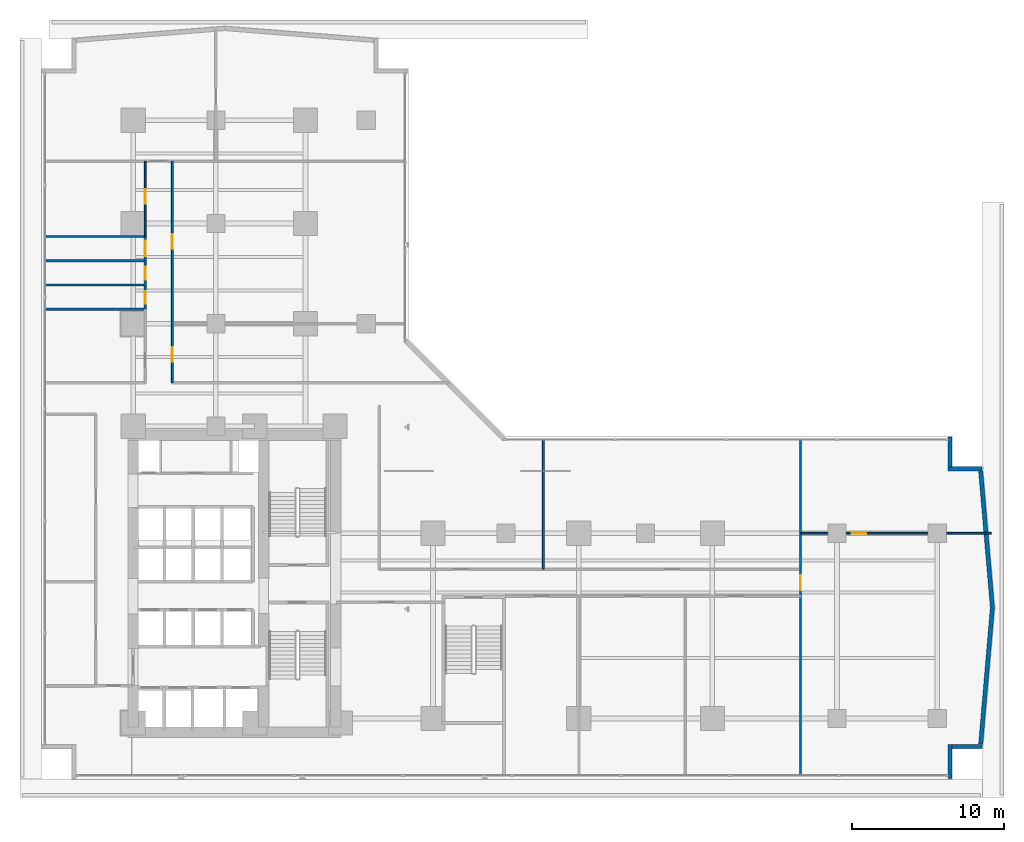
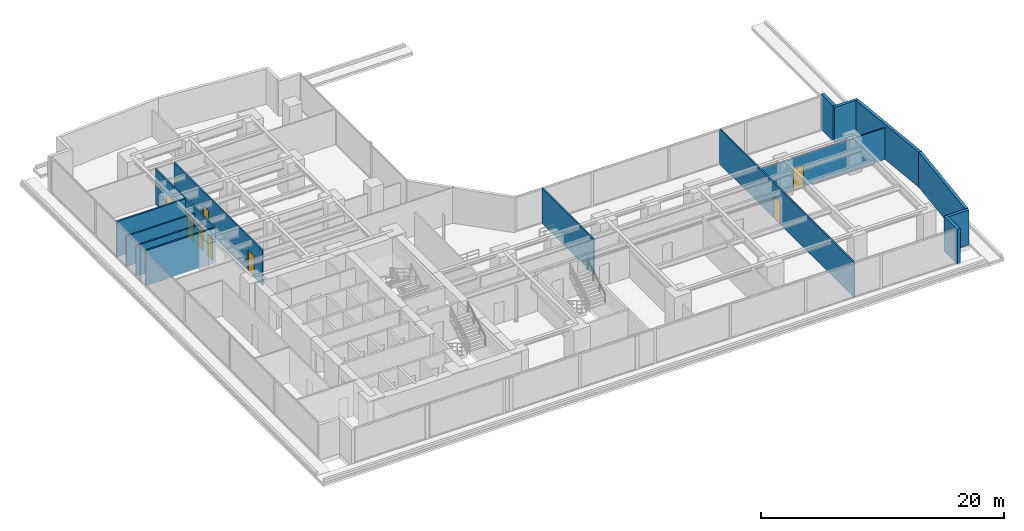
# One storey, part 23 of 29: 16 walls, 8 doors, 8 openings.
"""IFC4 building model written with IfcOpenShell, lengths in metres."""

from ifc_helpers import new_model, si_unit, direction, frame, frame_2d, origin, place, context, subcontext, project, spatial, rectangle, extrude, material, layer, layer_set, type_object, element, fill, save


model = new_model("IFC4")

# Units and contexts
model_context = context("Model", 3, precision=1e-05, world=origin(), true_north=direction((0.0, 1.0)))
body_context = subcontext(model_context, "Body", "Model", "MODEL_VIEW")
ifc_project = project(units=[si_unit("LENGTHUNIT", "METRE"), si_unit("AREAUNIT", "SQUARE_METRE"), si_unit("VOLUMEUNIT", "CUBIC_METRE"), si_unit("PLANEANGLEUNIT", "RADIAN"), si_unit("MASSUNIT", "GRAM", prefix="KILO")], contexts=[model_context])

# Site, building, storey
site_placement = place(None, origin())
site = spatial("IfcSite", under=ifc_project, at=site_placement, CompositionType="ELEMENT")
building_placement = place(site_placement, origin())
building = spatial("IfcBuilding", under=site, at=building_placement, Name="Kolvaren Waterfront Exchange", CompositionType="ELEMENT")
storey_placement = place(building_placement, frame((0.0, 0.0, 29.60009765625)))
storey = spatial("IfcBuildingStorey", under=building, at=storey_placement, Name="L07", CompositionType="ELEMENT", Elevation=29.60009765625)

# Walls
ifc_material_1 = material(Name="Precast concrete C40/50", Category="concrete")
ifc_layer_1 = layer(ifc_material_1, 0.280029296875, Name="Precast concrete C40/50")
ifc_layer_set_1 = layer_set([ifc_layer_1], Name="Precast concrete C40/50")
wall_type_1 = type_object("IfcWallType", Name="ARC-EXT-TERR-280", PredefinedType="SOLIDWALL", material=ifc_layer_set_1)
wall_1_placement = place(storey_placement, frame((61.239990234375, 1.260009765625, 0.0), z_axis=(0.0, 0.0, 1.0), x_axis=(0.0, 1.0, 0.0)))
element("IfcWall", 1, at=wall_1_placement, inside=storey, type_object=wall_type_1, Name="L07 notched corner spandrel pier SE-A", PredefinedType="SOLIDWALL", context=body_context, shape_type="SweptSolid", body=[
    extrude(rectangle(XDim=2.239990234375, YDim=0.280029296875, at=frame_2d((1.1201171875, 0.0))), origin(), (0.0, 0.0, 1.0), 3.539794921875),
])
wall_2_placement = place(storey_placement, frame((61.3798828125, 3.360107421875, 0.0), z_axis=(0.0, 0.0, 1.0), x_axis=(1.0, 0.0, 0.0)))
element("IfcWall", 2, at=wall_2_placement, inside=storey, type_object=wall_type_1, Name="L07 notched corner spandrel pier SE-B", PredefinedType="SOLIDWALL", context=body_context, shape_type="SweptSolid", body=[
    extrude(rectangle(XDim=1.960205078125, YDim=0.280029296875, at=frame_2d((0.97998046875, 0.0))), origin(), (0.0, 0.0, 1.0), 3.539794921875),
])
wall_3_placement = place(storey_placement, frame((61.239990234375, 21.764892578125, 0.0), z_axis=(0.0, 0.0, 1.0), x_axis=(0.0, 1.0, 0.0)))
element("IfcWall", 3, at=wall_3_placement, inside=storey, type_object=wall_type_1, Name="L07 notched corner spandrel pier ENE-A", PredefinedType="SOLIDWALL", context=body_context, shape_type="SweptSolid", body=[
    extrude(rectangle(XDim=1.97509765625, YDim=0.280029296875, at=frame_2d((0.987548828125, 0.0))), origin(), (0.0, 0.0, 1.0), 3.539794921875),
])
wall_4_placement = place(storey_placement, frame((61.10009765625, 21.639892578125, 0.0), z_axis=(0.0, 0.0, 1.0), x_axis=(1.0, 0.0, 0.0)))
element("IfcWall", 4, at=wall_4_placement, inside=storey, type_object=wall_type_1, Name="L07 notched corner spandrel pier ENE-B", PredefinedType="SOLIDWALL", context=body_context, shape_type="SweptSolid", body=[
    extrude(rectangle(XDim=2.239990234375, YDim=0.280029296875, at=frame_2d((1.1201171875, 0.0))), origin(), (0.0, 0.0, 1.0), 3.539794921875),
])
for number, where, z_axis, x_axis, name in (
    (5, (63.266357421875, 3.5126953125, 0.0), (0.0, 0.0, 1.0), (0.085692274626, 0.996321651912, 0.0), "L07 east prow faceted facade wall 1"),
    (6, (64.038818359375, 12.506103515625, 0.0), (0.0, 0.0, 1.0), (-0.085692274626, 0.996321651912, 0.0), "L07 east prow faceted facade wall 2"),
):
    element("IfcWall", number, at=place(storey_placement, frame(where, z_axis=z_axis, x_axis=x_axis)), inside=storey, type_object=wall_type_1, Name=name, PredefinedType="SOLIDWALL", context=body_context, shape_type="SweptSolid", body=[
        extrude(rectangle(XDim=9.014404296875, YDim=0.280029296875, at=frame_2d((4.50732421875, 0.0))), origin(), (0.0, 0.0, 1.0), 3.539794921875),
    ])

# Wall, opening, door
ifc_material_2 = material(Name="Acoustic gypsum steel stud", Category="steel")
ifc_layer_2 = layer(ifc_material_2, 0.125, Name="Acoustic gypsum steel stud")
ifc_layer_set_2 = layer_set([ifc_layer_2], Name="Acoustic gypsum steel stud")
wall_type_2 = type_object("IfcWallType", Name="ARC-PART-125", PredefinedType="PARTITIONING", material=ifc_layer_set_2)
wall_5_placement = place(storey_placement, frame((51.39990234375, 1.43994140625, 0.0), z_axis=(0.0, 0.0, 1.0), x_axis=(0.0, 1.0, 0.0)))
wall_5 = element("IfcWall", 7, at=wall_5_placement, inside=storey, type_object=wall_type_2, Name="L07 interior wall PW-L07-ETIP-W", PredefinedType="PARTITIONING", context=body_context, shape_type="SweptSolid", body=[
    extrude(rectangle(XDim=22.1201171875, YDim=0.125, at=frame_2d((11.06005859375, 0.0))), origin(), (0.0, 0.0, 1.0), 3.539794921875),
])
opening_1_placement = place(wall_5_placement, frame((12.199951171875, 0.0, 0.0)))
opening_1 = element("IfcOpeningElement", 8, at=opening_1_placement, cuts=wall_5, Name="Opening D03", PredefinedType="OPENING", context=body_context, shape_type="SweptSolid", body=[
    extrude(rectangle(XDim=1.0, YDim=2.199951171875, at=frame_2d((0.5, 1.10009765625))), frame((0.0, 0.072509765625, 0.0), z_axis=(0.0, -1.0, 0.0), x_axis=(1.0, 0.0, 0.0)), (0.0, 0.0, 1.0), 0.14501953125),
])
ifc_material_3 = material(Name="Oak veneer accessible timber", Category="wood")
door_type_1 = type_object("IfcDoorType", Name="ARC-DR-1000", OperationType="NOTDEFINED", PredefinedType="DOOR", material=ifc_material_3)
door_1_placement = place(opening_1_placement, origin())
door_1 = element("IfcDoor", 9, at=door_1_placement, inside=storey, type_object=door_type_1, Name="L07 door DR-L07-ETIP1-D (D03)", OperationType="SINGLE_SWING_LEFT", OverallHeight=2.199951171875, OverallWidth=1.0, PredefinedType="DOOR", context=body_context, shape_type="SweptSolid", body=[
    extrude(rectangle(XDim=1.0, YDim=2.199951171875, at=frame_2d((0.5, 1.10009765625))), frame((0.0, 0.02490234375, 0.0), z_axis=(0.0, -1.0, 0.0), x_axis=(1.0, 0.0, 0.0)), (0.0, 0.0, 1.0), 0.050048828125),
])
fill(opening_1, door_1)

wall_6_placement = place(storey_placement, frame((51.39990234375, 17.39990234375, 0.0), z_axis=(0.0, 0.0, 1.0), x_axis=(1.0, 0.0, 0.0)))
wall_6 = element("IfcWall", 10, at=wall_6_placement, inside=storey, type_object=wall_type_2, Name="L07 interior wall PW-L07-ETIP-MID", PredefinedType="PARTITIONING", context=body_context, shape_type="SweptSolid", body=[
    extrude(rectangle(XDim=12.56005859375, YDim=0.125, at=frame_2d((6.280029296875, 0.0))), origin(), (0.0, 0.0, 1.0), 3.179931640625),
])
opening_2_placement = place(wall_6_placement, frame((3.381103515625, 0.0, 0.0)))
opening_2 = element("IfcOpeningElement", 11, at=opening_2_placement, cuts=wall_6, Name="Opening D02", PredefinedType="OPENING", context=body_context, shape_type="SweptSolid", body=[
    extrude(rectangle(XDim=0.949951171875, YDim=2.14990234375, at=frame_2d((0.47509765625, 1.074951171875))), frame((0.0, 0.072509765625, 0.0), z_axis=(0.0, -1.0, 0.0), x_axis=(1.0, 0.0, 0.0)), (0.0, 0.0, 1.0), 0.14501953125),
])
ifc_material_4 = material(Name="Oak veneer acoustic timber", Category="wood")
door_type_2 = type_object("IfcDoorType", Name="ARC-DR-950", OperationType="NOTDEFINED", PredefinedType="DOOR", material=ifc_material_4)
door_2_placement = place(opening_2_placement, origin())
door_2 = element("IfcDoor", 12, at=door_2_placement, inside=storey, type_object=door_type_2, Name="L07 door DR-L07-ETIP2-D (D02)", OperationType="SINGLE_SWING_RIGHT", OverallHeight=2.14990234375, OverallWidth=0.949951171875, PredefinedType="DOOR", context=body_context, shape_type="SweptSolid", body=[
    extrude(rectangle(XDim=0.949951171875, YDim=2.14990234375, at=frame_2d((0.47509765625, 1.074951171875))), frame((0.0, 0.02490234375, 0.0), z_axis=(0.0, -1.0, 0.0), x_axis=(1.0, 0.0, 0.0)), (0.0, 0.0, 1.0), 0.050048828125),
])
fill(opening_2, door_2)

# Wall
wall_7_placement = place(storey_placement, frame((34.469970703125, 15.030029296875, 0.0), z_axis=(0.0, 0.0, 1.0), x_axis=(0.0, 1.0, 0.0)))
element("IfcWall", 13, at=wall_7_placement, inside=storey, type_object=wall_type_2, Name="L07 interior wall PW-L07-EN-DIV-1", PredefinedType="PARTITIONING", context=body_context, shape_type="SweptSolid", body=[
    extrude(rectangle(XDim=8.530029296875, YDim=0.125, at=frame_2d((4.26513671875, 0.0))), origin(), (0.0, 0.0, 1.0), 3.539794921875),
])

# Wall, opening, door
wall_8_placement = place(storey_placement, frame((8.25, 36.949951171875, 0.0), z_axis=(0.0, 0.0, 1.0), x_axis=(0.0, 1.0, 0.0)))
wall_8 = element("IfcWall", 14, at=wall_8_placement, inside=storey, type_object=wall_type_2, Name="L07 interior wall PW-L07-NW-CORR", PredefinedType="PARTITIONING", context=body_context, shape_type="SweptSolid", body=[
    extrude(rectangle(XDim=4.949951171875, YDim=0.125, at=frame_2d((2.47509765625, 0.0))), origin(), (0.0, 0.0, 1.0), 3.539794921875),
])
opening_3_placement = place(wall_8_placement, frame((2.1455078125, 0.0, 0.0)))
opening_3 = element("IfcOpeningElement", 15, at=opening_3_placement, cuts=wall_8, Name="Opening D02", PredefinedType="OPENING", context=body_context, shape_type="SweptSolid", body=[
    extrude(rectangle(XDim=0.949951171875, YDim=2.14990234375, at=frame_2d((0.47509765625, 1.074951171875))), frame((0.0, 0.072509765625, 0.0), z_axis=(0.0, -1.0, 0.0), x_axis=(1.0, 0.0, 0.0)), (0.0, 0.0, 1.0), 0.14501953125),
])
door_3_placement = place(opening_3_placement, origin())
door_3 = element("IfcDoor", 16, at=door_3_placement, inside=storey, type_object=door_type_2, Name="L07 door DR-L07-NW-D-1 (D02)", OperationType="SINGLE_SWING_LEFT", OverallHeight=2.14990234375, OverallWidth=0.949951171875, PredefinedType="DOOR", context=body_context, shape_type="SweptSolid", body=[
    extrude(rectangle(XDim=0.949951171875, YDim=2.14990234375, at=frame_2d((0.47509765625, 1.074951171875))), frame((0.0, 0.02490234375, 0.0), z_axis=(0.0, -1.0, 0.0), x_axis=(1.0, 0.0, 0.0)), (0.0, 0.0, 1.0), 0.050048828125),
])
fill(opening_3, door_3)

# Wall, openings, doors
wall_9_placement = place(storey_placement, frame((10.030029296875, 27.300048828125, 0.0), z_axis=(0.0, 0.0, 1.0), x_axis=(0.0, 1.0, 0.0)))
wall_9 = element("IfcWall", 17, at=wall_9_placement, inside=storey, type_object=wall_type_2, Name="L07 interior wall PW-L07-NE-CORR", PredefinedType="PARTITIONING", context=body_context, shape_type="SweptSolid", body=[
    extrude(rectangle(XDim=14.599853515625, YDim=0.125, at=frame_2d((7.2998046875, 0.0))), origin(), (0.0, 0.0, 1.0), 3.539794921875),
])
opening_4_placement = place(wall_9_placement, frame((1.4033203125, 0.0, 0.0)))
opening_4 = element("IfcOpeningElement", 18, at=opening_4_placement, cuts=wall_9, Name="Opening D02", PredefinedType="OPENING", context=body_context, shape_type="SweptSolid", body=[
    extrude(rectangle(XDim=0.949951171875, YDim=2.14990234375, at=frame_2d((0.47509765625, 1.074951171875))), frame((0.0, 0.072509765625, 0.0), z_axis=(0.0, -1.0, 0.0), x_axis=(1.0, 0.0, 0.0)), (0.0, 0.0, 1.0), 0.14501953125),
])
opening_5_placement = place(wall_9_placement, frame((8.845947265625, 0.0, 0.0)))
opening_5 = element("IfcOpeningElement", 19, at=opening_5_placement, cuts=wall_9, Name="Opening D02", PredefinedType="OPENING", context=body_context, shape_type="SweptSolid", body=[
    extrude(rectangle(XDim=0.949951171875, YDim=2.14990234375, at=frame_2d((0.47509765625, 1.074951171875))), frame((0.0, 0.072509765625, 0.0), z_axis=(0.0, -1.0, 0.0), x_axis=(1.0, 0.0, 0.0)), (0.0, 0.0, 1.0), 0.14501953125),
])
door_4_placement = place(opening_4_placement, origin())
door_4 = element("IfcDoor", 20, at=door_4_placement, inside=storey, type_object=door_type_2, Name="L07 door DR-L07-NE-D-1 (D02)", OperationType="SINGLE_SWING_RIGHT", OverallHeight=2.14990234375, OverallWidth=0.949951171875, PredefinedType="DOOR", context=body_context, shape_type="SweptSolid", body=[
    extrude(rectangle(XDim=0.949951171875, YDim=2.14990234375, at=frame_2d((0.47509765625, 1.074951171875))), frame((0.0, 0.02490234375, 0.0), z_axis=(0.0, -1.0, 0.0), x_axis=(1.0, 0.0, 0.0)), (0.0, 0.0, 1.0), 0.050048828125),
])
fill(opening_4, door_4)
door_5_placement = place(opening_5_placement, origin())
door_5 = element("IfcDoor", 21, at=door_5_placement, inside=storey, type_object=door_type_2, Name="L07 door DR-L07-NE-D-2 (D02)", OperationType="SINGLE_SWING_LEFT", OverallHeight=2.14990234375, OverallWidth=0.949951171875, PredefinedType="DOOR", context=body_context, shape_type="SweptSolid", body=[
    extrude(rectangle(XDim=0.949951171875, YDim=2.14990234375, at=frame_2d((0.47509765625, 1.074951171875))), frame((0.0, 0.02490234375, 0.0), z_axis=(0.0, -1.0, 0.0), x_axis=(1.0, 0.0, 0.0)), (0.0, 0.0, 1.0), 0.050048828125),
])
fill(opening_5, door_5)

# Wall
ifc_material_5 = material(Name="Moisture-resistant gypsum stud")
ifc_layer_3 = layer(ifc_material_5, 0.14990234375, Name="Moisture-resistant gypsum stud")
ifc_layer_set_3 = layer_set([ifc_layer_3], Name="Moisture-resistant gypsum stud")
wall_type_3 = type_object("IfcWallType", Name="ARC-PLUMB-150", PredefinedType="PLUMBINGWALL", material=ifc_layer_set_3)
wall_10_placement = place(storey_placement, frame((1.639892578125, 32.14990234375, 0.0), z_axis=(0.0, 0.0, 1.0), x_axis=(1.0, 0.0, 0.0)))
element("IfcWall", 22, at=wall_10_placement, inside=storey, type_object=wall_type_3, Name="L07 interior wall PW-L07-WC-0", PredefinedType="PLUMBINGWALL", context=body_context, shape_type="SweptSolid", body=[
    extrude(rectangle(XDim=6.610107421875, YDim=0.14990234375, at=frame_2d((3.30517578125, 0.0))), origin(), (0.0, 0.0, 1.0), 3.539794921875),
])

# Wall, openings, doors
wall_11_placement = place(storey_placement, frame((8.25, 32.14990234375, 0.0), z_axis=(0.0, 0.0, 1.0), x_axis=(0.0, 1.0, 0.0)))
wall_11 = element("IfcWall", 23, at=wall_11_placement, inside=storey, type_object=wall_type_3, Name="L07 interior wall PW-L07-WC-E", PredefinedType="PLUMBINGWALL", context=body_context, shape_type="SweptSolid", body=[
    extrude(rectangle(XDim=4.800048828125, YDim=0.14990234375, at=frame_2d((2.39990234375, 0.0))), origin(), (0.0, 0.0, 1.0), 3.539794921875),
])
opening_6_placement = place(wall_11_placement, frame((0.35009765625, 0.0, 0.0)))
opening_6 = element("IfcOpeningElement", 24, at=opening_6_placement, cuts=wall_11, Name="Opening D01", PredefinedType="OPENING", context=body_context, shape_type="SweptSolid", body=[
    extrude(rectangle(XDim=0.85009765625, YDim=2.14990234375, at=frame_2d((0.425048828125, 1.074951171875))), frame((0.0, 0.0849609375, 0.0), z_axis=(0.0, -1.0, 0.0), x_axis=(1.0, 0.0, 0.0)), (0.0, 0.0, 1.0), 0.169921875),
])
opening_7_placement = place(wall_11_placement, frame((1.949951171875, 0.0, 0.0)))
opening_7 = element("IfcOpeningElement", 25, at=opening_7_placement, cuts=wall_11, Name="Opening D01", PredefinedType="OPENING", context=body_context, shape_type="SweptSolid", body=[
    extrude(rectangle(XDim=0.85009765625, YDim=2.14990234375, at=frame_2d((0.425048828125, 1.074951171875))), frame((0.0, 0.0849609375, 0.0), z_axis=(0.0, -1.0, 0.0), x_axis=(1.0, 0.0, 0.0)), (0.0, 0.0, 1.0), 0.169921875),
])
opening_8_placement = place(wall_11_placement, frame((3.5, 0.0, 0.0)))
opening_8 = element("IfcOpeningElement", 26, at=opening_8_placement, cuts=wall_11, Name="Opening D03", PredefinedType="OPENING", context=body_context, shape_type="SweptSolid", body=[
    extrude(rectangle(XDim=1.0, YDim=2.199951171875, at=frame_2d((0.5, 1.10009765625))), frame((0.0, 0.0849609375, 0.0), z_axis=(0.0, -1.0, 0.0), x_axis=(1.0, 0.0, 0.0)), (0.0, 0.0, 1.0), 0.169921875),
])
door_6_placement = place(opening_8_placement, origin())
door_6 = element("IfcDoor", 27, at=door_6_placement, inside=storey, type_object=door_type_1, Name="L07 door DR-L07-WCA-D (D03)", OperationType="SINGLE_SWING_LEFT", OverallHeight=2.199951171875, OverallWidth=1.0, PredefinedType="DOOR", context=body_context, shape_type="SweptSolid", body=[
    extrude(rectangle(XDim=1.0, YDim=2.199951171875, at=frame_2d((0.5, 1.10009765625))), frame((0.0, 0.02490234375, 0.0), z_axis=(0.0, -1.0, 0.0), x_axis=(1.0, 0.0, 0.0)), (0.0, 0.0, 1.0), 0.050048828125),
])
fill(opening_8, door_6)
ifc_material_6 = material(Name="Oak veneer timber leaf", Category="wood")
door_type_3 = type_object("IfcDoorType", Name="ARC-DR-900", OperationType="NOTDEFINED", PredefinedType="DOOR", material=ifc_material_6)
door_7_placement = place(opening_6_placement, origin())
door_7 = element("IfcDoor", 28, at=door_7_placement, inside=storey, type_object=door_type_3, Name="L07 door DR-L07-WCM-D (D01)", OperationType="SINGLE_SWING_LEFT", OverallHeight=2.14990234375, OverallWidth=0.85009765625, PredefinedType="DOOR", context=body_context, shape_type="SweptSolid", body=[
    extrude(rectangle(XDim=0.85009765625, YDim=2.14990234375, at=frame_2d((0.425048828125, 1.074951171875))), frame((0.0, 0.02490234375, 0.0), z_axis=(0.0, -1.0, 0.0), x_axis=(1.0, 0.0, 0.0)), (0.0, 0.0, 1.0), 0.050048828125),
])
fill(opening_6, door_7)
door_8_placement = place(opening_7_placement, origin())
door_8 = element("IfcDoor", 29, at=door_8_placement, inside=storey, type_object=door_type_3, Name="L07 door DR-L07-WCF-D (D01)", OperationType="SINGLE_SWING_RIGHT", OverallHeight=2.14990234375, OverallWidth=0.85009765625, PredefinedType="DOOR", context=body_context, shape_type="SweptSolid", body=[
    extrude(rectangle(XDim=0.85009765625, YDim=2.14990234375, at=frame_2d((0.425048828125, 1.074951171875))), frame((0.0, 0.02490234375, 0.0), z_axis=(0.0, -1.0, 0.0), x_axis=(1.0, 0.0, 0.0)), (0.0, 0.0, 1.0), 0.050048828125),
])
fill(opening_7, door_8)

# Walls
for number, where, z_axis, x_axis, name in (
    (30, (1.639892578125, 33.75, 0.0), (0.0, 0.0, 1.0), (1.0, 0.0, 0.0), "L07 interior wall PW-L07-WC-1"),
    (31, (1.639892578125, 35.35009765625, 0.0), (0.0, 0.0, 1.0), (1.0, 0.0, 0.0), "L07 interior wall PW-L07-WC-2"),
):
    element("IfcWall", number, at=place(storey_placement, frame(where, z_axis=z_axis, x_axis=x_axis)), inside=storey, type_object=wall_type_3, Name=name, PredefinedType="PLUMBINGWALL", context=body_context, shape_type="SweptSolid", body=[
        extrude(rectangle(XDim=6.610107421875, YDim=0.14990234375, at=frame_2d((3.30517578125, 0.0))), origin(), (0.0, 0.0, 1.0), 3.039794921875),
    ])
wall_12_placement = place(storey_placement, frame((1.639892578125, 36.949951171875, 0.0), z_axis=(0.0, 0.0, 1.0), x_axis=(1.0, 0.0, 0.0)))
element("IfcWall", 32, at=wall_12_placement, inside=storey, type_object=wall_type_3, Name="L07 interior wall PW-L07-WC-3", PredefinedType="PLUMBINGWALL", context=body_context, shape_type="SweptSolid", body=[
    extrude(rectangle(XDim=6.610107421875, YDim=0.14990234375, at=frame_2d((3.30517578125, 0.0))), origin(), (0.0, 0.0, 1.0), 3.539794921875),
])

save(model, "model.ifc")
